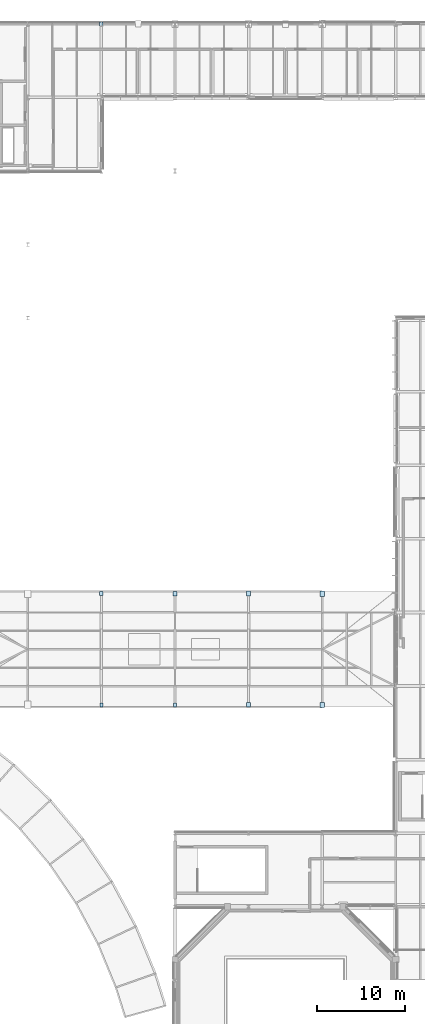
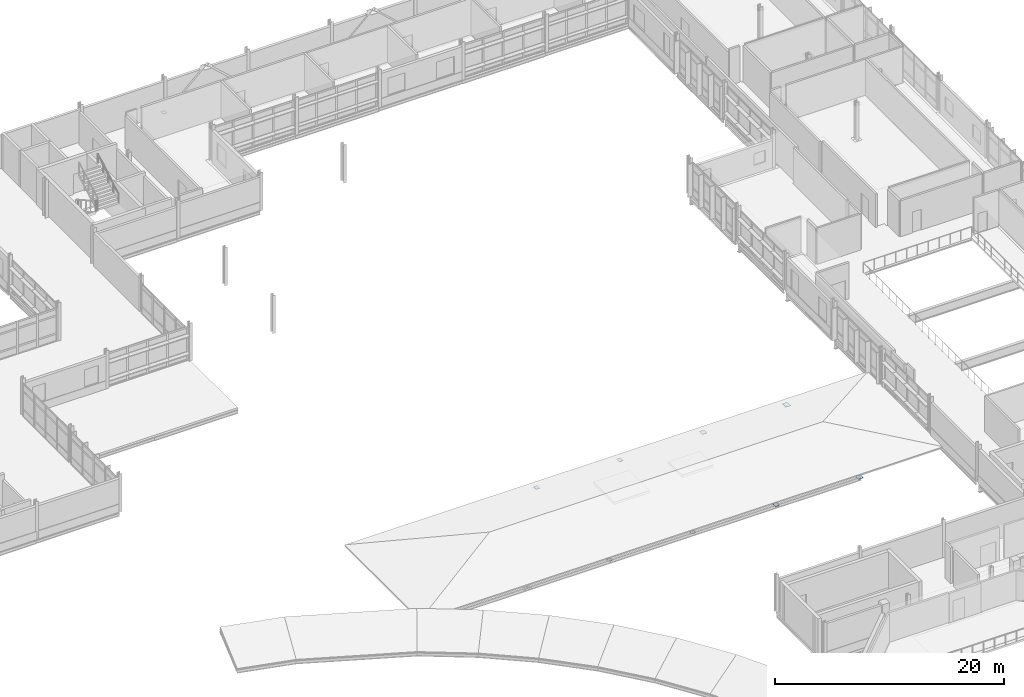
# One storey, part 118 of 151: 9 plates.
"""IFC4 building model written with IfcOpenShell, lengths in metres."""

from ifc_helpers import new_model, si_unit, direction, frame, origin, origin_2d, place, context, subcontext, project, spatial, rectangle, extrude, material, layer, layer_set, type_object, element, save


model = new_model("IFC4")

# Units and contexts
model_context = context("Model", 3, precision=1e-05, world=origin(), true_north=direction((0.0, 1.0)))
body_context = subcontext(model_context, "Body", "Model", "MODEL_VIEW")
ifc_project = project(units=[si_unit("LENGTHUNIT", "METRE"), si_unit("AREAUNIT", "SQUARE_METRE"), si_unit("VOLUMEUNIT", "CUBIC_METRE"), si_unit("PLANEANGLEUNIT", "RADIAN"), si_unit("MASSUNIT", "GRAM", prefix="KILO")], contexts=[model_context])

# Site, building, storey
site_placement = place(None, origin())
site = spatial("IfcSite", under=ifc_project, at=site_placement, CompositionType="ELEMENT")
building_placement = place(site_placement, origin())
building = spatial("IfcBuilding", under=site, at=building_placement, Name="Mersafa Astral City Hall", CompositionType="ELEMENT")
storey_placement = place(building_placement, frame((0.0, 0.0, 9.89990234375)))
storey = spatial("IfcBuildingStorey", under=building, at=storey_placement, Name="L02", CompositionType="ELEMENT", Elevation=9.89990234375)

# Plates
ifc_material = material(Name="Steel S355", Category="steel")
ifc_layer_1 = layer(ifc_material, 0.031005859375, Name="Steel S355")
ifc_layer_set_1 = layer_set([ifc_layer_1], Name="Steel S355 — STR-PLT-NP-18")
plate_type_1 = type_object("IfcPlateType", Name="STR-PLT-NP-18", PredefinedType="SHEET", material=ifc_layer_set_1)
plate_1_placement = place(storey_placement, frame((58.800048828125, 48.25, -0.42529296875), z_axis=(0.0, 0.0, 1.0), x_axis=(1.0, 0.0, 0.0)))
element("IfcPlate", 1, at=plate_1_placement, inside=storey, type_object=plate_type_1, Name="L02 Structural steel eave strut node plate NP-18", PredefinedType="SHEET", context=body_context, shape_type="SweptSolid", body=[
    extrude(rectangle(XDim=0.360107421875, YDim=0.449951171875, at=origin_2d()), origin(), (0.0, 0.0, 1.0), 0.031005859375),
])
ifc_layer_2 = layer(ifc_material, 0.031982421875, Name="Steel S355")
ifc_layer_set_2 = layer_set([ifc_layer_2], Name="Steel S355 — STR-PLT-NP-19")
plate_type_2 = type_object("IfcPlateType", Name="STR-PLT-NP-19", PredefinedType="SHEET", material=ifc_layer_set_2)
plate_2_placement = place(storey_placement, frame((58.800048828125, 60.949951171875, -0.42578125), z_axis=(0.0, 0.0, 1.0), x_axis=(1.0, 0.0, 0.0)))
element("IfcPlate", 2, at=plate_2_placement, inside=storey, type_object=plate_type_2, Name="L02 Structural steel eave strut node plate NP-19", PredefinedType="SHEET", context=body_context, shape_type="SweptSolid", body=[
    extrude(rectangle(XDim=0.385009765625, YDim=0.47998046875, at=origin_2d()), origin(), (0.0, 0.0, 1.0), 0.031982421875),
])
ifc_layer_3 = layer(ifc_material, 0.014892578125, Name="Steel S355")
ifc_layer_set_3 = layer_set([ifc_layer_3], Name="Steel S355 — STR-PLT-NP-2")
plate_type_3 = type_object("IfcPlateType", Name="STR-PLT-NP-2", PredefinedType="SHEET", material=ifc_layer_set_3)
plate_3_placement = place(storey_placement, frame((67.199951171875, 48.25, -0.41748046875), z_axis=(0.0, 0.0, 1.0), x_axis=(1.0, 0.0, 0.0)))
element("IfcPlate", 3, at=plate_3_placement, inside=storey, type_object=plate_type_3, Name="L02 Structural steel eave strut node plate NP-2", PredefinedType="SHEET", context=body_context, shape_type="SweptSolid", body=[
    extrude(rectangle(XDim=0.385009765625, YDim=0.429931640625, at=origin_2d()), origin(), (0.0, 0.0, 1.0), 0.014892578125),
])
ifc_layer_4 = layer(ifc_material, 0.032958984375, Name="Steel S355")
ifc_layer_set_4 = layer_set([ifc_layer_4], Name="Steel S355 — STR-PLT-NP-20")
plate_type_4 = type_object("IfcPlateType", Name="STR-PLT-NP-20", PredefinedType="SHEET", material=ifc_layer_set_4)
plate_4_placement = place(storey_placement, frame((67.199951171875, 60.949951171875, -0.42626953125), z_axis=(0.0, 0.0, 1.0), x_axis=(1.0, 0.0, 0.0)))
element("IfcPlate", 4, at=plate_4_placement, inside=storey, type_object=plate_type_4, Name="L02 Structural steel eave strut node plate NP-20", PredefinedType="SHEET", context=body_context, shape_type="SweptSolid", body=[
    extrude(rectangle(XDim=0.409912109375, YDim=0.510009765625, at=origin_2d()), origin(), (0.0, 0.0, 1.0), 0.032958984375),
])
ifc_layer_5 = layer(ifc_material, 0.013916015625, Name="Steel S355")
ifc_layer_set_5 = layer_set([ifc_layer_5], Name="Steel S355 — STR-PLT-NP-21")
plate_type_5 = type_object("IfcPlateType", Name="STR-PLT-NP-21", PredefinedType="SHEET", material=ifc_layer_set_5)
plate_5_placement = place(storey_placement, frame((75.60009765625, 48.25, -0.4169921875), z_axis=(0.0, 0.0, 1.0), x_axis=(1.0, 0.0, 0.0)))
element("IfcPlate", 5, at=plate_5_placement, inside=storey, type_object=plate_type_5, Name="L02 Structural steel eave strut node plate NP-21", PredefinedType="SHEET", context=body_context, shape_type="SweptSolid", body=[
    extrude(rectangle(XDim=0.43505859375, YDim=0.5400390625, at=origin_2d()), origin(), (0.0, 0.0, 1.0), 0.013916015625),
])
ifc_layer_6 = layer(ifc_material, 0.014892578125, Name="Steel S355")
ifc_layer_set_6 = layer_set([ifc_layer_6], Name="Steel S355 — STR-PLT-NP-22")
plate_type_6 = type_object("IfcPlateType", Name="STR-PLT-NP-22", PredefinedType="SHEET", material=ifc_layer_set_6)
plate_6_placement = place(storey_placement, frame((75.60009765625, 60.949951171875, -0.41748046875), z_axis=(0.0, 0.0, 1.0), x_axis=(1.0, 0.0, 0.0)))
element("IfcPlate", 6, at=plate_6_placement, inside=storey, type_object=plate_type_6, Name="L02 Structural steel eave strut node plate NP-22", PredefinedType="SHEET", context=body_context, shape_type="SweptSolid", body=[
    extrude(rectangle(XDim=0.4599609375, YDim=0.570068359375, at=origin_2d()), origin(), (0.0, 0.0, 1.0), 0.014892578125),
])
ifc_layer_7 = layer(ifc_material, 0.01611328125, Name="Steel S355")
ifc_layer_set_7 = layer_set([ifc_layer_7], Name="Steel S355 — STR-PLT-NP-23")
plate_type_7 = type_object("IfcPlateType", Name="STR-PLT-NP-23", PredefinedType="SHEET", material=ifc_layer_set_7)
plate_7_placement = place(storey_placement, frame((84.0, 48.25, -0.41796875), z_axis=(0.0, 0.0, 1.0), x_axis=(1.0, 0.0, 0.0)))
element("IfcPlate", 7, at=plate_7_placement, inside=storey, type_object=plate_type_7, Name="L02 Structural steel eave strut node plate NP-23", PredefinedType="SHEET", context=body_context, shape_type="SweptSolid", body=[
    extrude(rectangle(XDim=0.485107421875, YDim=0.60009765625, at=origin_2d()), origin(), (0.0, 0.0, 1.0), 0.01611328125),
])
ifc_layer_8 = layer(ifc_material, 0.01708984375, Name="Steel S355")
ifc_layer_set_8 = layer_set([ifc_layer_8], Name="Steel S355 — STR-PLT-NP-24")
plate_type_8 = type_object("IfcPlateType", Name="STR-PLT-NP-24", PredefinedType="SHEET", material=ifc_layer_set_8)
plate_8_placement = place(storey_placement, frame((84.0, 60.949951171875, -0.41845703125), z_axis=(0.0, 0.0, 1.0), x_axis=(1.0, 0.0, 0.0)))
element("IfcPlate", 8, at=plate_8_placement, inside=storey, type_object=plate_type_8, Name="L02 Structural steel eave strut node plate NP-24", PredefinedType="SHEET", context=body_context, shape_type="SweptSolid", body=[
    extrude(rectangle(XDim=0.510009765625, YDim=0.6298828125, at=origin_2d()), origin(), (0.0, 0.0, 1.0), 0.01708984375),
])
ifc_layer_9 = layer(ifc_material, 0.01611328125, Name="Steel S355")
ifc_layer_set_9 = layer_set([ifc_layer_9], Name="Steel S355 — STR-PLT-NP-3")
plate_type_9 = type_object("IfcPlateType", Name="STR-PLT-NP-3", PredefinedType="SHEET", material=ifc_layer_set_9)
plate_9_placement = place(storey_placement, frame((58.798095703125, 126.0, 0.112060546875), z_axis=(0.0, 0.0, 1.0), x_axis=(1.0, 0.0, 0.0)))
element("IfcPlate", 9, at=plate_9_placement, inside=storey, type_object=plate_type_9, Name="L02 Structural steel brace gusset plate NP-3", PredefinedType="SHEET", context=body_context, shape_type="SweptSolid", body=[
    extrude(rectangle(XDim=0.409912109375, YDim=0.4599609375, at=origin_2d()), origin(), (0.0, 0.0, 1.0), 0.01611328125),
])

save(model, "model.ifc")
